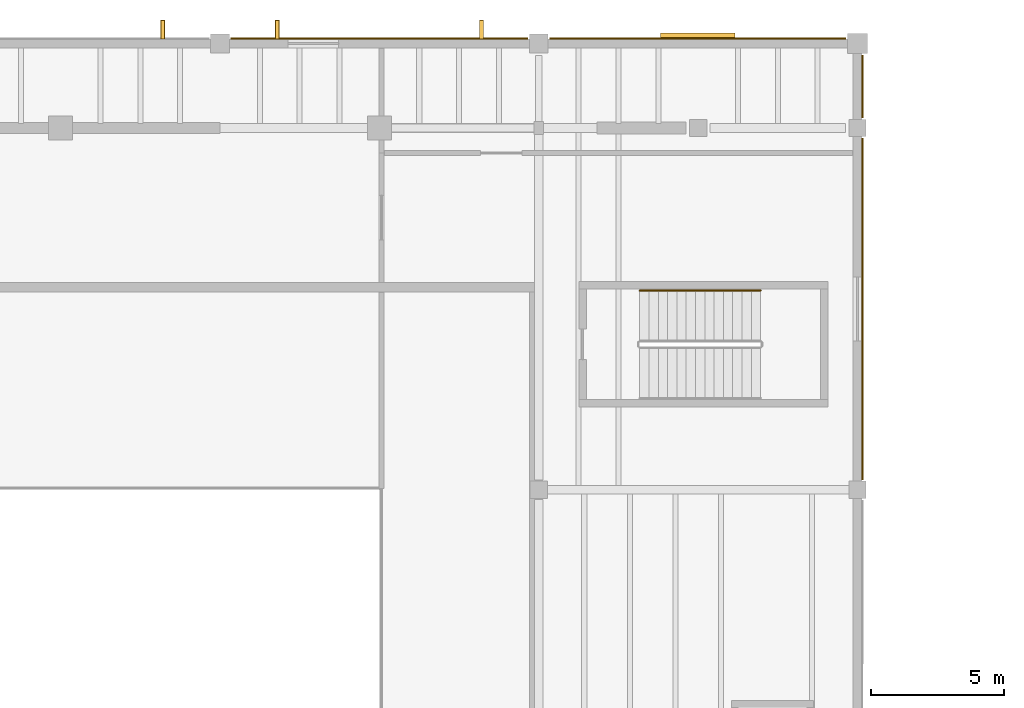
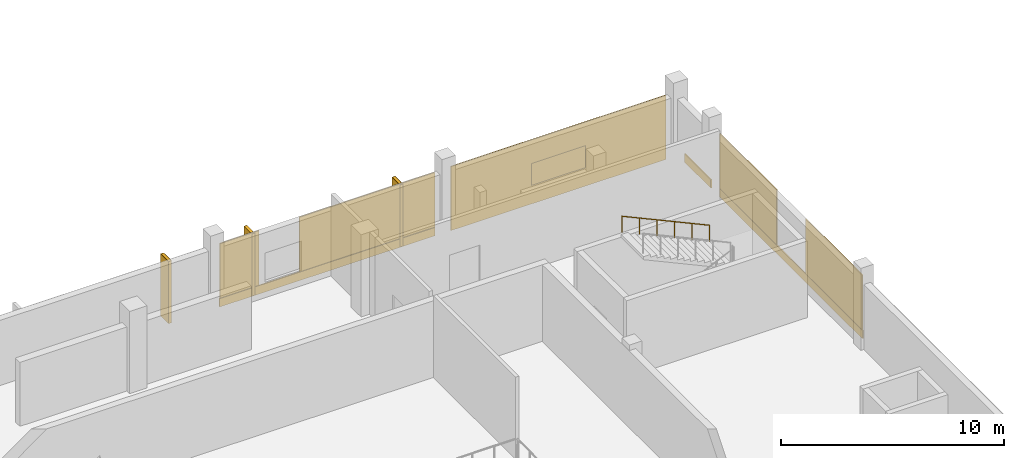
# One storey, part 60 of 63: 11 coverings, 4 shading devices, 1 railing.
"""IFC4 building model written with IfcOpenShell, lengths in metres."""

from ifc_helpers import new_model, si_unit, direction, frame, origin, origin_2d, place, context, subcontext, project, spatial, rectangle, circle, extrude, material, layer, layer_set, type_object, element, save


model = new_model("IFC4")

# Units and contexts
model_context = context("Model", 3, precision=1e-05, world=origin(), true_north=direction((0.0, 1.0)))
body_context = subcontext(model_context, "Body", "Model", "MODEL_VIEW")
ifc_project = project(units=[si_unit("LENGTHUNIT", "METRE"), si_unit("AREAUNIT", "SQUARE_METRE"), si_unit("VOLUMEUNIT", "CUBIC_METRE"), si_unit("PLANEANGLEUNIT", "RADIAN"), si_unit("MASSUNIT", "GRAM", prefix="KILO")], contexts=[model_context])

# Site, building, storey
site_placement = place(None, origin())
site = spatial("IfcSite", under=ifc_project, at=site_placement, CompositionType="ELEMENT")
building_placement = place(site_placement, origin())
building = spatial("IfcBuilding", under=site, at=building_placement, Name="Kelmvaro Bay Concert Hall", CompositionType="ELEMENT")
storey_placement = place(building_placement, frame((0.0, 0.0, 13.800048828125)))
storey = spatial("IfcBuildingStorey", under=building, at=storey_placement, Name="L03", CompositionType="ELEMENT", Elevation=13.800048828125)

# Shading devices
ifc_material_1 = material(Name="Anodised Extruded Aluminium 6063-T6", Category="aluminium")
ifc_layer_1 = layer(ifc_material_1, 3.39990234375)
ifc_layer_set_1 = layer_set([ifc_layer_1], Name="Anodised Extruded Aluminium 6063-T6")
shading_device_type_1 = type_object("IfcShadingDeviceType", Name="Bauhaus Vertical Solar Brise-Soleil Fin 720x3400", PredefinedType="SHUTTER", material=ifc_layer_set_1)
for number, where, z_axis, x_axis, name in (
    (1, (33.842041015625, 114.52587890625, 0.06005859375), (0.0, 0.0, 1.0), (1.0, 0.0, 0.0), "L03 Solar Brise-Soleil Fin 028"),
    (2, (38.157958984375, 114.52587890625, 0.06005859375), (0.0, 0.0, 1.0), (1.0, 0.0, 0.0), "L03 Solar Brise-Soleil Fin 029"),
    (3, (45.842041015625, 114.52587890625, 0.06005859375), (0.0, 0.0, 1.0), (1.0, 0.0, 0.0), "L03 Solar Brise-Soleil Fin 030"),
):
    element("IfcShadingDevice", number, at=place(storey_placement, frame(where, z_axis=z_axis, x_axis=x_axis)), inside=storey, type_object=shading_device_type_1, Name=name, PredefinedType="SHUTTER", context=body_context, shape_type="SweptSolid", body=[
        extrude(rectangle(XDim=0.159912109375, YDim=0.719970703125, at=origin_2d()), origin(), (0.0, 0.0, 1.0), 3.39990234375),
    ])

# Coverings
ifc_material_2 = material(Name="PVDF-Coated Architectural Aluminium", Category="aluminium")
ifc_layer_2 = layer(ifc_material_2, 0.0400390625)
ifc_layer_set_2 = layer_set([ifc_layer_2], Name="PVDF-Coated Architectural Aluminium")
covering_type_1 = type_object("IfcCoveringType", Name="De Stijl Enamelled Aluminium Fascia Panel 40", PredefinedType="CLADDING", material=ifc_layer_set_2)
for number, where, z_axis, x_axis, name in (
    (4, (33.842041015625, 114.52587890625, 0.06005859375), (0.0, 0.0, 1.0), (1.0, 0.0, 0.0), "L03 Architectural Vertical Fin Cladding 0115"),
    (5, (38.157958984375, 114.52587890625, 0.06005859375), (0.0, 0.0, 1.0), (1.0, 0.0, 0.0), "L03 Architectural Vertical Fin Cladding 0117"),
    (6, (45.842041015625, 114.52587890625, 0.06005859375), (0.0, 0.0, 1.0), (1.0, 0.0, 0.0), "L03 Architectural Vertical Fin Cladding 0118"),
):
    element("IfcCovering", number, at=place(storey_placement, frame(where, z_axis=z_axis, x_axis=x_axis)), inside=storey, type_object=covering_type_1, Name=name, PredefinedType="CLADDING", context=body_context, shape_type="SweptSolid", body=[
        extrude(rectangle(XDim=0.139892578125, YDim=0.699951171875, at=origin_2d()), origin(), (0.0, 0.0, 1.0), 3.39990234375),
    ])
ifc_material_3 = material(Name="Honed Florida Limestone Travertine", Category="masonry")
ifc_layer_3 = layer(ifc_material_3, 0.054931640625)
ifc_layer_set_3 = layer_set([ifc_layer_3], Name="Honed Florida Limestone Travertine")
covering_type_2 = type_object("IfcCoveringType", Name="Honed Florida Travertine Rainscreen Cladding 55", PredefinedType="CLADDING", material=ifc_layer_set_3)
covering_1_placement = place(storey_placement, frame((42.0, 114.195556640625, 0.0400390625), z_axis=(0.0, 0.0, 1.0), x_axis=(1.0, 0.0, 0.0)))
element("IfcCovering", 7, at=covering_1_placement, inside=storey, type_object=covering_type_2, Name="L03 Travertine Sill Band 0116", PredefinedType="CLADDING", context=body_context, shape_type="SweptSolid", body=[
    extrude(rectangle(XDim=11.179931640625, YDim=0.054931640625, at=origin_2d()), origin(), (0.0, 0.0, 1.0), 0.4599609375),
])
covering_2_placement = place(storey_placement, frame((37.447021484375, 114.195556640625, 0.52001953125), z_axis=(0.0, 0.0, 1.0), x_axis=(1.0, 0.0, 0.0)))
element("IfcCovering", 8, at=covering_2_placement, inside=storey, type_object=covering_type_2, Name="L03 Travertine Pier Panel 0119", PredefinedType="CLADDING", context=body_context, shape_type="SweptSolid", body=[
    extrude(rectangle(XDim=2.033935546875, YDim=0.054931640625, at=origin_2d()), origin(), (0.0, 0.0, 1.0), 2.989013671875),
])
covering_3_placement = place(storey_placement, frame((44.06689453125, 114.195556640625, 0.52001953125), z_axis=(0.0, 0.0, 1.0), x_axis=(1.0, 0.0, 0.0)))
element("IfcCovering", 9, at=covering_3_placement, inside=storey, type_object=covering_type_2, Name="L03 Travertine Pier Panel 0120", PredefinedType="CLADDING", context=body_context, shape_type="SweptSolid", body=[
    extrude(rectangle(XDim=7.006103515625, YDim=0.054931640625, at=origin_2d()), origin(), (0.0, 0.0, 1.0), 2.989013671875),
])
covering_4_placement = place(storey_placement, frame((53.987548828125, 114.195556640625, 0.02978515625), z_axis=(0.0, 0.0, 1.0), x_axis=(1.0, 0.0, 0.0)))
element("IfcCovering", 10, at=covering_4_placement, inside=storey, type_object=covering_type_2, Name="L03 Travertine Cladding Panel 0121", PredefinedType="CLADDING", context=body_context, shape_type="SweptSolid", body=[
    extrude(rectangle(XDim=11.155029296875, YDim=0.054931640625, at=origin_2d()), origin(), (0.0, 0.0, 1.0), 3.509033203125),
])
covering_5_placement = place(storey_placement, frame((60.195556640625, 112.385009765625, 0.0400390625), z_axis=(0.0, 0.0, 1.0), x_axis=(0.0, -1.0, 0.0)))
element("IfcCovering", 11, at=covering_5_placement, inside=storey, type_object=covering_type_2, Name="L03 Travertine Sill Band 0142", PredefinedType="CLADDING", context=body_context, shape_type="SweptSolid", body=[
    extrude(rectangle(XDim=2.360107421875, YDim=0.054931640625, at=origin_2d()), origin(), (0.0, 0.0, 1.0), 0.4599609375),
])
covering_6_placement = place(storey_placement, frame((60.195556640625, 104.010009765625, 0.0400390625), z_axis=(0.0, 0.0, 1.0), x_axis=(0.0, -1.0, 0.0)))
element("IfcCovering", 12, at=covering_6_placement, inside=storey, type_object=covering_type_2, Name="L03 Travertine Sill Band 0143", PredefinedType="CLADDING", context=body_context, shape_type="SweptSolid", body=[
    extrude(rectangle(XDim=12.85009765625, YDim=0.054931640625, at=origin_2d()), origin(), (0.0, 0.0, 1.0), 0.4599609375),
])
for number, where, z_axis, x_axis, name in (
    (13, (60.195556640625, 107.862548828125, 0.52001953125), (0.0, 0.0, 1.0), (0.0, -1.0, 0.0), "L03 Travertine Pier Panel 0144"),
    (14, (60.195556640625, 100.157470703125, 0.52001953125), (0.0, 0.0, 1.0), (0.0, -1.0, 0.0), "L03 Travertine Pier Panel 0145"),
):
    element("IfcCovering", number, at=place(storey_placement, frame(where, z_axis=z_axis, x_axis=x_axis)), inside=storey, type_object=covering_type_2, Name=name, PredefinedType="CLADDING", context=body_context, shape_type="SweptSolid", body=[
        extrude(rectangle(XDim=5.10498046875, YDim=0.054931640625, at=origin_2d()), origin(), (0.0, 0.0, 1.0), 2.989013671875),
    ])

# Shading device
ifc_material_4 = material(Name="Anodised Extruded Aluminium 6063-T6", Category="aluminium")
ifc_layer_4 = layer(ifc_material_4, 1.199951171875)
ifc_layer_set_4 = layer_set([ifc_layer_4], Name="Anodised Extruded Aluminium 6063-T6")
shading_device_type_2 = type_object("IfcShadingDeviceType", Name="Hurricane Acoustic Intake Storm Louvre 2800x1200", PredefinedType="JALOUSIE", material=ifc_layer_set_4)
shading_device_placement = place(storey_placement, frame((53.987548828125, 114.277099609375, 1.0498046875), z_axis=(0.0, 0.0, 1.0), x_axis=(1.0, 0.0, 0.0)))
element("IfcShadingDevice", 15, at=shading_device_placement, inside=storey, type_object=shading_device_type_2, Name="L03 Storm Acoustic Louvre 031", PredefinedType="JALOUSIE", context=body_context, shape_type="SweptSolid", body=[
    extrude(rectangle(XDim=2.800048828125, YDim=0.219970703125, at=origin_2d()), origin(), (0.0, 0.0, 1.0), 1.199951171875),
])

# Railing
ifc_material_5 = material(Name="Brushed Stainless Steel 316", Category="steel")
railing_type = type_object("IfcRailingType", Name="Stair Stainless Wall Handrail 900", PredefinedType="HANDRAIL", material=ifc_material_5)
railing_placement = place(storey_placement, frame((56.35009765625, 104.699951171875, 2.41064453125)))
element("IfcRailing", 16, at=railing_placement, inside=storey, type_object=railing_type, Name="L03 ST-02 stair handrail 2", PredefinedType="HANDRAIL", context=body_context, shape_type="SweptSolid", body=[
    extrude(circle(Radius=0.02392578125, at=origin_2d()), frame((0.0, 0.0, 0.8759765625), z_axis=(-0.908768316152, 0.0, 0.417301027506), x_axis=(0.0, -1.0, 0.0)), (0.0, 0.0, 1.0), 5.0068359375),
    extrude(circle(Radius=0.02099609375, at=origin_2d()), origin(), (0.0, 0.0, 1.0), 0.851806640625),
    extrude(circle(Radius=0.02099609375, at=origin_2d()), frame((-0.909912109375, 0.0, 0.41796875)), (0.0, 0.0, 1.0), 0.851806640625),
    extrude(circle(Radius=0.02099609375, at=origin_2d()), frame((-1.820068359375, 0.0, 0.835693359375)), (0.0, 0.0, 1.0), 0.851806640625),
    extrude(circle(Radius=0.02099609375, at=origin_2d()), frame((-2.72998046875, 0.0, 1.253662109375)), (0.0, 0.0, 1.0), 0.851806640625),
    extrude(circle(Radius=0.02099609375, at=origin_2d()), frame((-3.64013671875, 0.0, 1.67138671875)), (0.0, 0.0, 1.0), 0.851806640625),
    extrude(circle(Radius=0.02099609375, at=origin_2d()), frame((-4.550048828125, 0.0, 2.08935546875)), (0.0, 0.0, 1.0), 0.851806640625),
])

save(model, "model.ifc")
